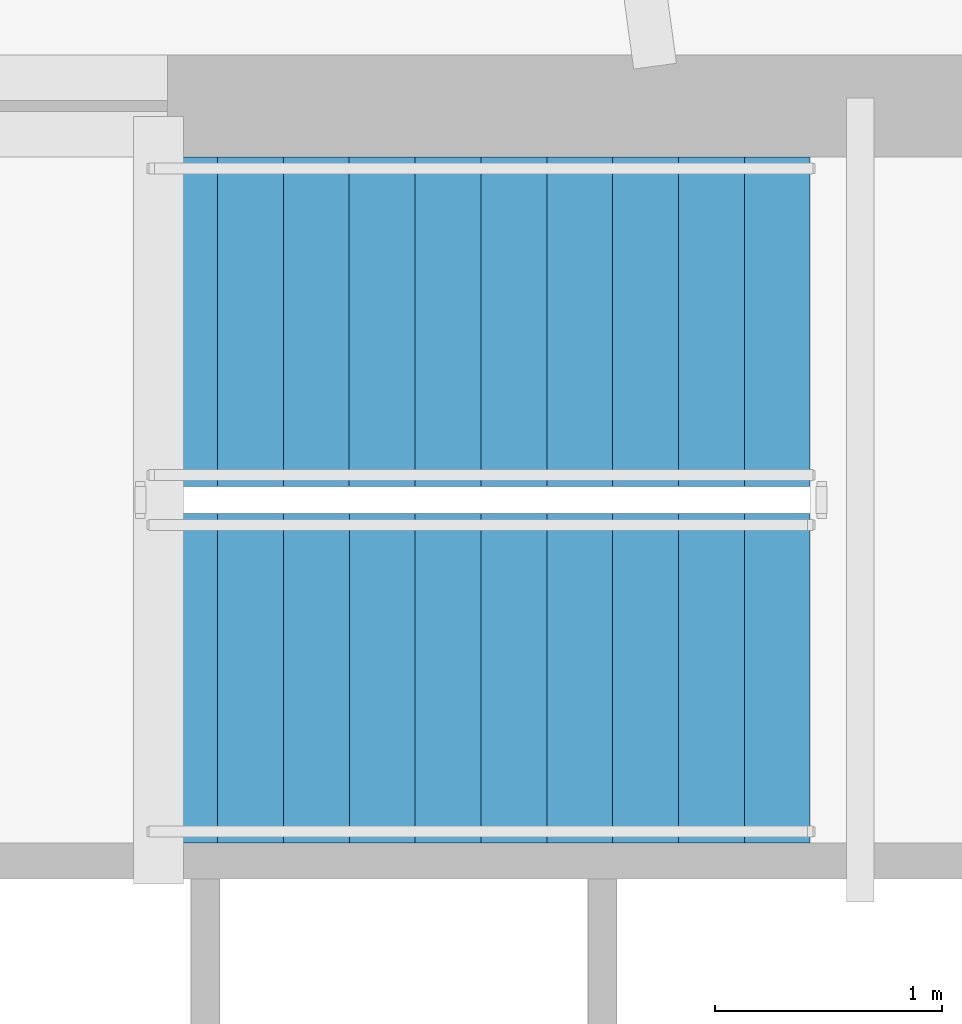
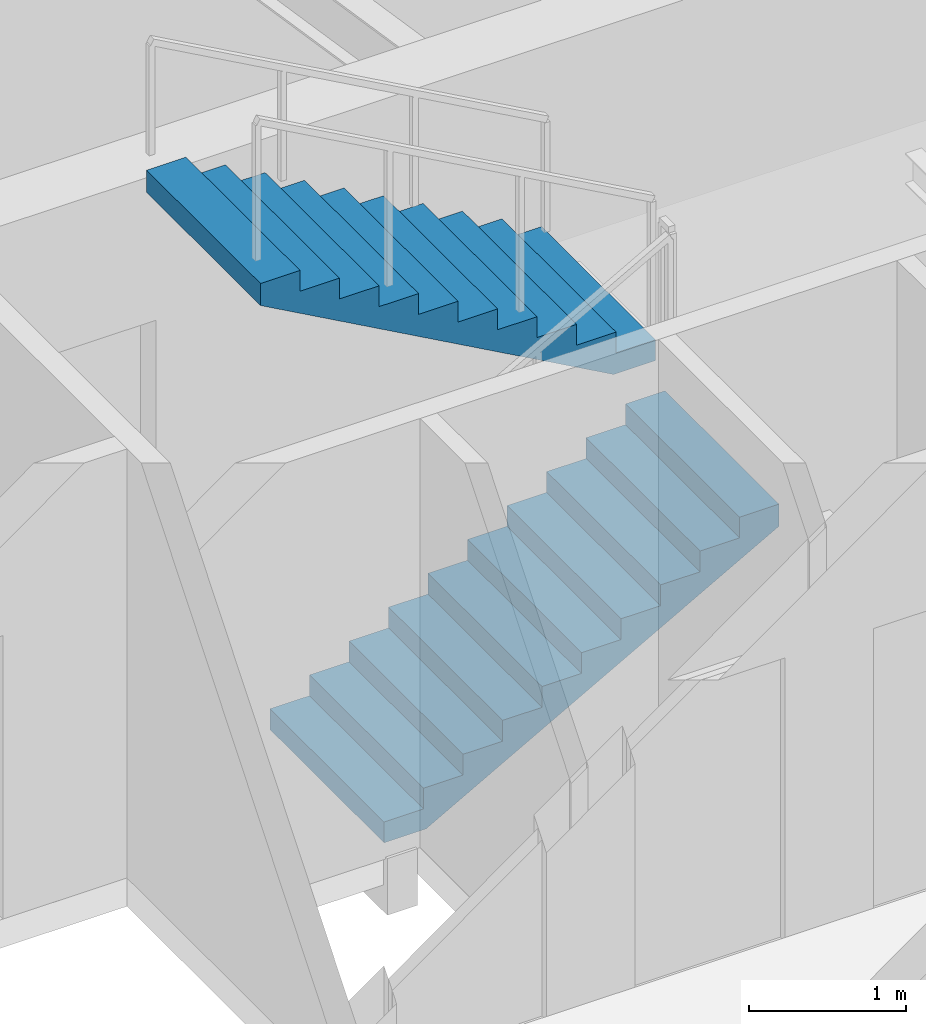
# One storey, part 11 of 14: 2 stair flights, 1 element without a shape of its own.
"""IFC4 building model written with IfcOpenShell, lengths in metres."""

from ifc_helpers import new_model, si_unit, direction, frame, origin, place, context, subcontext, project, spatial, polyline, outline, extrude, material, type_object, element, aggregate, save


model = new_model("IFC4")

# Units and contexts
model_context = context("Model", 3, precision=1e-05, world=origin(), true_north=direction((0.0, 1.0)))
body_context = subcontext(model_context, "Body", "Model", "MODEL_VIEW")
ifc_project = project(units=[si_unit("LENGTHUNIT", "METRE"), si_unit("AREAUNIT", "SQUARE_METRE"), si_unit("VOLUMEUNIT", "CUBIC_METRE"), si_unit("PLANEANGLEUNIT", "RADIAN"), si_unit("MASSUNIT", "GRAM", prefix="KILO")], contexts=[model_context])

# Site, building, storey
site_placement = place(None, origin())
site = spatial("IfcSite", under=ifc_project, at=site_placement, CompositionType="ELEMENT")
building_placement = place(site_placement, origin())
building = spatial("IfcBuilding", under=site, at=building_placement, Name="Olszyna Solenne Hotel", CompositionType="ELEMENT")
storey_placement = place(building_placement, frame((0.0, 0.0, 216.699951171875)))
storey = spatial("IfcBuildingStorey", under=building, at=storey_placement, Name="L57", CompositionType="ELEMENT", Elevation=216.699951171875)

# Stair, stair flights
ifc_material = material(Name="Concrete C40/50", Category="concrete")
stair_type = type_object("IfcStairType", Name="STR-C1", PredefinedType="TWO_QUARTER_WINDING_STAIR", material=ifc_material)
stair_placement = place(storey_placement, origin())
stair = element("IfcStair", 1, at=stair_placement, inside=storey, type_object=stair_type, Name="L57 ST3", PredefinedType="TWO_QUARTER_WINDING_STAIR")
stair_flight_type = type_object("IfcStairFlightType", Name="FLT-C1", PredefinedType="STRAIGHT", material=ifc_material)
stair_flight_1_placement = place(storey_placement, frame((34.72998046875, 31.405029296875, 0.0), z_axis=(0.0, 0.0, 1.0), x_axis=(1.0, 0.0, 0.0)))
stair_flight_1 = element("IfcStairFlight", 2, at=stair_flight_1_placement, type_object=stair_flight_type, Name="ST3 flight 1", NumberOfRisers=11, NumberOfTreads=10, PredefinedType="STRAIGHT", RiserHeight=0.161363636, TreadLength=0.29, context=body_context, shape_type="SweptSolid", body=[
    extrude(outline(polyline([(0.0, 0.0), (0.0, 0.161376953125), (0.2900390625, 0.161376953125), (0.2900390625, 0.32275390625), (0.580078125, 0.32275390625), (0.580078125, 0.484130859375), (0.8701171875, 0.484130859375), (0.8701171875, 0.6455078125), (1.159912109375, 0.6455078125), (1.159912109375, 0.806884765625), (1.449951171875, 0.806884765625), (1.449951171875, 0.96826171875), (1.739990234375, 0.96826171875), (1.739990234375, 1.129638671875), (2.030029296875, 1.129638671875), (2.030029296875, 1.291015625), (2.320068359375, 1.291015625), (2.320068359375, 1.452392578125), (2.610107421875, 1.452392578125), (2.610107421875, 1.613525390625), (2.89990234375, 1.613525390625), (2.89990234375, 1.77490234375), (2.89990234375, 1.442138671875), (0.308349609375, 0.0), (0.0, 0.0)])), frame((0.0, 0.72509765625, 0.0), z_axis=(0.0, -1.0, 0.0), x_axis=(1.0, 0.0, 0.0)), (0.0, 0.0, 1.0), 1.449951171875),
])
stair_flight_2_placement = place(storey_placement, frame((37.6298828125, 32.97509765625, 1.775146484375), z_axis=(0.0, 0.0, 1.0), x_axis=(-1.0, 0.0, 0.0)))
stair_flight_2 = element("IfcStairFlight", 3, at=stair_flight_2_placement, type_object=stair_flight_type, Name="ST3 flight 2", NumberOfRisers=11, NumberOfTreads=10, PredefinedType="STRAIGHT", RiserHeight=0.161363636, TreadLength=0.29, context=body_context, shape_type="SweptSolid", body=[
    extrude(outline(polyline([(0.0, 0.0), (0.0, 0.161376953125), (0.2900390625, 0.161376953125), (0.2900390625, 0.32275390625), (0.580078125, 0.32275390625), (0.580078125, 0.484130859375), (0.8701171875, 0.484130859375), (0.8701171875, 0.6455078125), (1.159912109375, 0.6455078125), (1.159912109375, 0.806884765625), (1.449951171875, 0.806884765625), (1.449951171875, 0.96826171875), (1.739990234375, 0.96826171875), (1.739990234375, 1.129638671875), (2.030029296875, 1.129638671875), (2.030029296875, 1.291015625), (2.320068359375, 1.291015625), (2.320068359375, 1.452392578125), (2.610107421875, 1.452392578125), (2.610107421875, 1.613525390625), (2.89990234375, 1.613525390625), (2.89990234375, 1.77490234375), (2.89990234375, 1.442138671875), (0.308349609375, 0.0), (0.0, 0.0)])), frame((0.0, 0.72509765625, 0.0), z_axis=(0.0, -1.0, 0.0), x_axis=(1.0, 0.0, 0.0)), (0.0, 0.0, 1.0), 1.449951171875),
])
aggregate(stair, [stair_flight_1, stair_flight_2])

save(model, "model.ifc")
